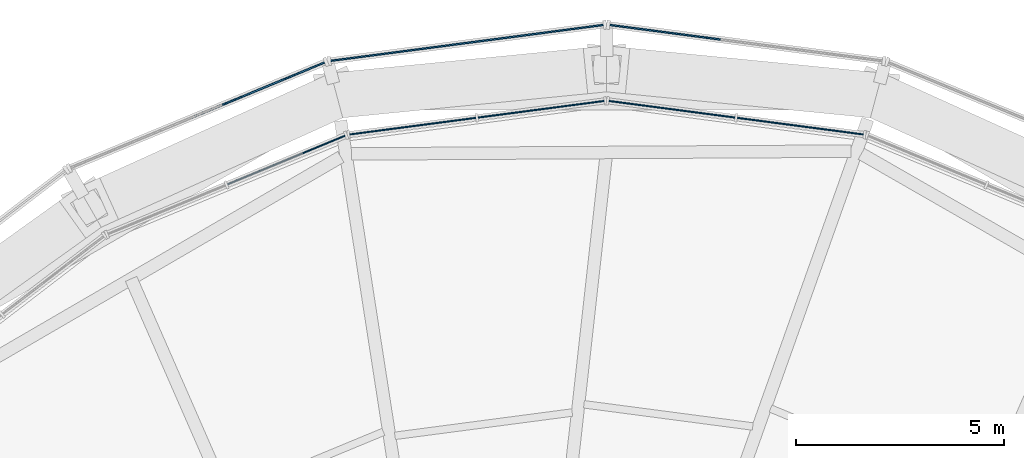
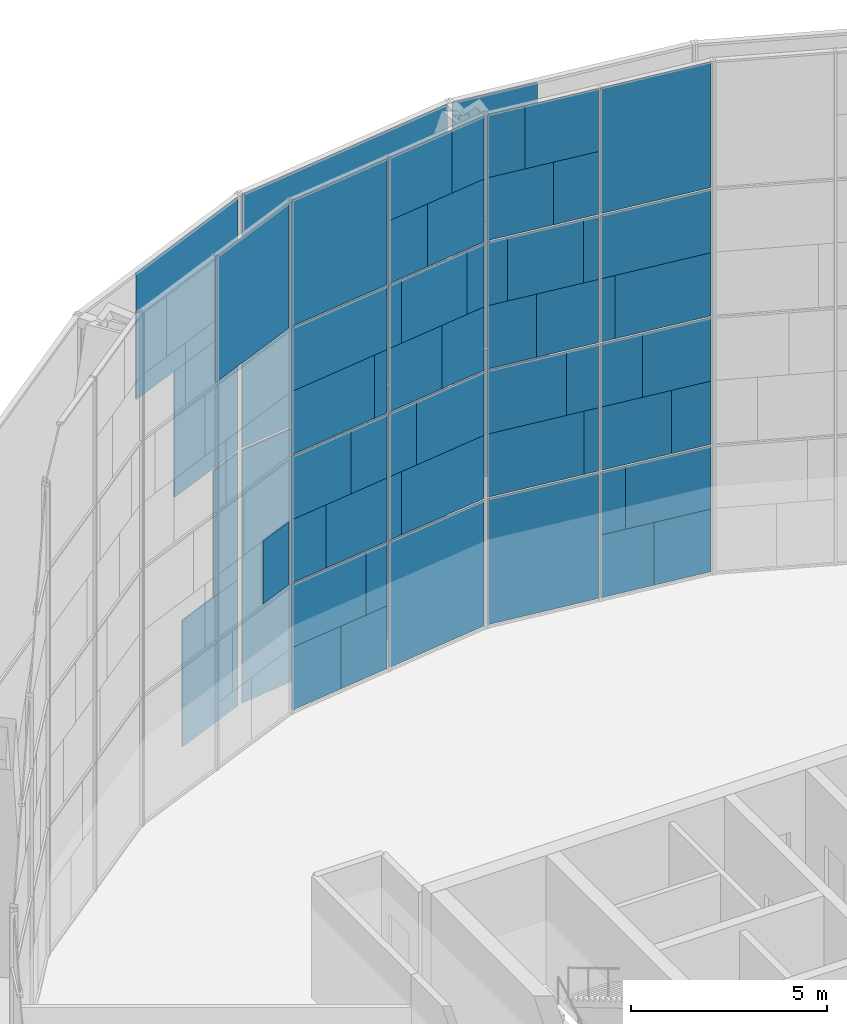
# One storey, part 23 of 30: 63 plates, 6 elements without a shape of their own.
"""IFC4 building model written with IfcOpenShell, lengths in metres."""

from ifc_helpers import new_model, si_unit, direction, frame, origin, origin_2d, place, context, subcontext, project, spatial, rectangle, extrude, material, layer, layer_set, type_object, element, aggregate, save


model = new_model("IFC4")

# Units and contexts
model_context = context("Model", 3, precision=1e-05, world=origin(), true_north=direction((0.0, 1.0)))
body_context = subcontext(model_context, "Body", "Model", "MODEL_VIEW")
ifc_project = project(units=[si_unit("LENGTHUNIT", "METRE"), si_unit("AREAUNIT", "SQUARE_METRE"), si_unit("VOLUMEUNIT", "CUBIC_METRE"), si_unit("PLANEANGLEUNIT", "RADIAN"), si_unit("MASSUNIT", "GRAM", prefix="KILO")], contexts=[model_context])

# Site, building, storey
site_placement = place(None, origin())
site = spatial("IfcSite", under=ifc_project, at=site_placement, CompositionType="ELEMENT")
building_placement = place(site_placement, origin())
building = spatial("IfcBuilding", under=site, at=building_placement, Name="Golbaran Civic Tower", CompositionType="ELEMENT")
storey_placement = place(building_placement, frame((0.0, 0.0, 167.0)))
storey = spatial("IfcBuildingStorey", under=building, at=storey_placement, Name="L40", CompositionType="ELEMENT", Elevation=167.0)

# Curtain wall, plates
ifc_material_1 = material(Name="Aluminium and glass", Category="aluminium")
curtain_wall_type_1 = type_object("IfcCurtainWallType", Name="INNER SKIN CURTAIN WALL EXECUTIVE", PredefinedType="NOTDEFINED", material=ifc_material_1)
curtain_wall_1_placement = place(storey_placement, origin())
curtain_wall_1 = element("IfcCurtainWall", 1, at=curtain_wall_1_placement, inside=storey, type_object=curtain_wall_type_1, Name="Inner skin L40 facet 6 CW2", ObjectType="INNER SKIN", PredefinedType="USERDEFINED")
ifc_material_2 = material(Name="Clear insulating glass", Category="glass")
ifc_layer_1 = layer(ifc_material_2, 0.031982421875, Name="Clear insulating glass")
ifc_layer_set_1 = layer_set([ifc_layer_1], Name="Clear insulating glass")
plate_type_1 = type_object("IfcPlateType", Name="INNER SKIN CURTAIN WALL EXECUTIVE GLAZED PANEL", PredefinedType="CURTAIN_PANEL", material=ifc_layer_set_1)
plate_1_placement = place(storey_placement, frame((3.879638671875, 23.572265625, 0.06005859375), z_axis=(0.0, 0.0, 1.0), x_axis=(-0.991444861383, 0.130526192151, 0.0)))
plate_1 = element("IfcPlate", 2, at=plate_1_placement, type_object=plate_type_1, Name="CW2 panel 1.1 part 2", PredefinedType="CURTAIN_PANEL", context=body_context, shape_type="SweptSolid", body=[
    extrude(rectangle(XDim=1.4794921875, YDim=0.031982421875, at=origin_2d()), origin(), (0.0, 0.0, 1.0), 1.955078125),
])
plate_2_placement = place(storey_placement, frame((3.485107421875, 23.624267578125, 2.014892578125), z_axis=(0.0, 0.0, 1.0), x_axis=(-0.991444861383, 0.130526192151, 0.0)))
plate_2 = element("IfcPlate", 3, at=plate_2_placement, type_object=plate_type_1, Name="CW2 panel 1.1 part 4", PredefinedType="CURTAIN_PANEL", context=body_context, shape_type="SweptSolid", body=[
    extrude(rectangle(XDim=0.683349609375, YDim=0.031982421875, at=origin_2d()), origin(), (0.0, 0.0, 1.0), 1.955078125),
])
plate_3_placement = place(storey_placement, frame((5.63330078125, 23.34130859375, 4.02978515625), z_axis=(0.0, 0.0, 1.0), x_axis=(-0.991444861383, 0.130526192151, 0.0)))
plate_3 = element("IfcPlate", 4, at=plate_3_placement, type_object=plate_type_1, Name="CW2 panel 1.2 part 1", PredefinedType="CURTAIN_PANEL", context=body_context, shape_type="SweptSolid", body=[
    extrude(rectangle(XDim=1.090087890625, YDim=0.031982421875, at=origin_2d()), origin(), (0.0, 0.0, 1.0), 1.969970703125),
])
plate_4_placement = place(storey_placement, frame((5.23583984375, 23.393798828125, 6.0), z_axis=(0.0, 0.0, 1.0), x_axis=(-0.991444861383, 0.130526192151, 0.0)))
plate_4 = element("IfcPlate", 5, at=plate_4_placement, type_object=plate_type_1, Name="CW2 panel 1.2 part 3", PredefinedType="CURTAIN_PANEL", context=body_context, shape_type="SweptSolid", body=[
    extrude(rectangle(XDim=1.89208984375, YDim=0.031982421875, at=origin_2d()), origin(), (0.0, 0.0, 1.0), 1.969970703125),
])
plate_5_placement = place(storey_placement, frame((4.85888671875, 23.443359375, 8.02978515625), z_axis=(0.0, 0.0, 1.0), x_axis=(-0.991444861383, 0.130526192151, 0.0)))
plate_5 = element("IfcPlate", 6, at=plate_5_placement, type_object=plate_type_1, Name="CW2 panel 1.3 part 1", PredefinedType="CURTAIN_PANEL", context=body_context, shape_type="SweptSolid", body=[
    extrude(rectangle(XDim=2.652099609375, YDim=0.031982421875, at=origin_2d()), origin(), (0.0, 0.0, 1.0), 1.969970703125),
])
plate_6_placement = place(storey_placement, frame((4.659912109375, 23.469482421875, 10.0), z_axis=(0.0, 0.0, 1.0), x_axis=(-0.991444861383, 0.130526192151, 0.0)))
plate_6 = element("IfcPlate", 7, at=plate_6_placement, type_object=plate_type_1, Name="CW2 panel 1.3 part 3", PredefinedType="CURTAIN_PANEL", context=body_context, shape_type="SweptSolid", body=[
    extrude(rectangle(XDim=3.053466796875, YDim=0.031982421875, at=origin_2d()), origin(), (0.0, 0.0, 1.0), 1.969970703125),
])
plate_7_placement = place(storey_placement, frame((4.659912109375, 23.469482421875, 12.0302734375), z_axis=(0.0, 0.0, 1.0), x_axis=(-0.991444861383, 0.130526192151, 0.0)))
plate_7 = element("IfcPlate", 8, at=plate_7_placement, type_object=plate_type_1, Name="CW2 panel 1.4", PredefinedType="CURTAIN_PANEL", context=body_context, shape_type="SweptSolid", body=[
    extrude(rectangle(XDim=3.053466796875, YDim=0.031982421875, at=origin_2d()), origin(), (0.0, 0.0, 1.0), 3.909912109375),
])
plate_8_placement = place(storey_placement, frame((1.5732421875, 23.8759765625, 0.06005859375), z_axis=(0.0, 0.0, 1.0), x_axis=(-0.991444861383, 0.130526192151, 0.0)))
plate_8 = element("IfcPlate", 9, at=plate_8_placement, type_object=plate_type_1, Name="CW2 panel 2.1", PredefinedType="CURTAIN_PANEL", context=body_context, shape_type="SweptSolid", body=[
    extrude(rectangle(XDim=3.053466796875, YDim=0.031982421875, at=origin_2d()), origin(), (0.0, 0.0, 1.0), 3.909912109375),
])
plate_9_placement = place(storey_placement, frame((1.374267578125, 23.902099609375, 4.02978515625), z_axis=(0.0, 0.0, 1.0), x_axis=(-0.991444861383, 0.130526192151, 0.0)))
plate_9 = element("IfcPlate", 10, at=plate_9_placement, type_object=plate_type_1, Name="CW2 panel 2.2 part 2", PredefinedType="CURTAIN_PANEL", context=body_context, shape_type="SweptSolid", body=[
    extrude(rectangle(XDim=2.65234375, YDim=0.031982421875, at=origin_2d()), origin(), (0.0, 0.0, 1.0), 1.969970703125),
])
plate_10_placement = place(storey_placement, frame((1.134521484375, 23.93359375, 6.0), z_axis=(0.0, 0.0, 1.0), x_axis=(-0.991444861383, 0.130526192151, 0.0)))
plate_10 = element("IfcPlate", 11, at=plate_10_placement, type_object=plate_type_1, Name="CW2 panel 2.2 part 4", PredefinedType="CURTAIN_PANEL", context=body_context, shape_type="SweptSolid", body=[
    extrude(rectangle(XDim=2.16845703125, YDim=0.031982421875, at=origin_2d()), origin(), (0.0, 0.0, 1.0), 1.969970703125),
])
plate_11_placement = place(storey_placement, frame((0.724853515625, 23.987548828125, 8.02978515625), z_axis=(0.0, 0.0, 1.0), x_axis=(-0.991444861383, 0.130526192151, 0.0)))
plate_11 = element("IfcPlate", 12, at=plate_11_placement, type_object=plate_type_1, Name="CW2 panel 2.3 part 2", PredefinedType="CURTAIN_PANEL", context=body_context, shape_type="SweptSolid", body=[
    extrude(rectangle(XDim=1.342529296875, YDim=0.031982421875, at=origin_2d()), origin(), (0.0, 0.0, 1.0), 1.969970703125),
])
plate_12_placement = place(storey_placement, frame((2.885009765625, 23.703125, 10.0), z_axis=(0.0, 0.0, 1.0), x_axis=(-0.991444861383, 0.130526192151, 0.0)))
plate_12 = element("IfcPlate", 13, at=plate_12_placement, type_object=plate_type_1, Name="CW2 panel 2.3 part 3", PredefinedType="CURTAIN_PANEL", context=body_context, shape_type="SweptSolid", body=[
    extrude(rectangle(XDim=0.406982421875, YDim=0.031982421875, at=origin_2d()), origin(), (0.0, 0.0, 1.0), 1.969970703125),
])
plate_13_placement = place(storey_placement, frame((0.326904296875, 24.0400390625, 10.0), z_axis=(0.0, 0.0, 1.0), x_axis=(-0.991444861383, 0.130526192151, 0.0)))
plate_13 = element("IfcPlate", 14, at=plate_13_placement, type_object=plate_type_1, Name="CW2 panel 2.3 part 5", PredefinedType="CURTAIN_PANEL", context=body_context, shape_type="SweptSolid", body=[
    extrude(rectangle(XDim=0.53955078125, YDim=0.031982421875, at=origin_2d()), origin(), (0.0, 0.0, 1.0), 1.969970703125),
])
plate_14_placement = place(storey_placement, frame((2.47509765625, 23.757080078125, 12.030029296875), z_axis=(0.0, 0.0, 1.0), x_axis=(-0.991444861383, 0.130526192151, 0.0)))
plate_14 = element("IfcPlate", 15, at=plate_14_placement, type_object=plate_type_1, Name="CW2 panel 2.4 part 1", PredefinedType="CURTAIN_PANEL", context=body_context, shape_type="SweptSolid", body=[
    extrude(rectangle(XDim=1.23388671875, YDim=0.031982421875, at=origin_2d()), origin(), (0.0, 0.0, 1.0), 1.955078125),
])
plate_15_placement = place(storey_placement, frame((2.08056640625, 23.80908203125, 13.98486328125), z_axis=(0.0, 0.0, 1.0), x_axis=(-0.991444861383, 0.130526192151, 0.0)))
plate_15 = element("IfcPlate", 16, at=plate_15_placement, type_object=plate_type_1, Name="CW2 panel 2.4 part 3", PredefinedType="CURTAIN_PANEL", context=body_context, shape_type="SweptSolid", body=[
    extrude(rectangle(XDim=2.030029296875, YDim=0.031982421875, at=origin_2d()), origin(), (0.0, 0.0, 1.0), 1.955078125),
])

curtain_wall_2_placement = place(storey_placement, origin())
curtain_wall_2 = element("IfcCurtainWall", 17, at=curtain_wall_2_placement, inside=storey, type_object=curtain_wall_type_1, Name="Inner skin L40 facet 7 CW2", ObjectType="INNER SKIN", PredefinedType="USERDEFINED")
plate_16_placement = place(storey_placement, frame((-1.5732421875, 23.8759765625, 0.06005859375), z_axis=(0.0, 0.0, 1.0), x_axis=(-0.991444861383, -0.130526192151, 0.0)))
plate_16 = element("IfcPlate", 18, at=plate_16_placement, type_object=plate_type_1, Name="CW2 panel 1.1", PredefinedType="CURTAIN_PANEL", context=body_context, shape_type="SweptSolid", body=[
    extrude(rectangle(XDim=3.053466796875, YDim=0.031982421875, at=origin_2d()), origin(), (0.0, 0.0, 1.0), 3.909912109375),
])
plate_17_placement = place(storey_placement, frame((-1.3740234375, 23.902099609375, 4.02978515625), z_axis=(0.0, 0.0, 1.0), x_axis=(-0.991444861383, -0.130526192151, 0.0)))
plate_17 = element("IfcPlate", 19, at=plate_17_placement, type_object=plate_type_1, Name="CW2 panel 1.2 part 1", PredefinedType="CURTAIN_PANEL", context=body_context, shape_type="SweptSolid", body=[
    extrude(rectangle(XDim=2.652099609375, YDim=0.031982421875, at=origin_2d()), origin(), (0.0, 0.0, 1.0), 1.969970703125),
])
plate_18_placement = place(storey_placement, frame((-1.134765625, 23.93359375, 6.0), z_axis=(0.0, 0.0, 1.0), x_axis=(-0.991444861383, -0.130526192151, 0.0)))
plate_18 = element("IfcPlate", 20, at=plate_18_placement, type_object=plate_type_1, Name="CW2 panel 1.2 part 3", PredefinedType="CURTAIN_PANEL", context=body_context, shape_type="SweptSolid", body=[
    extrude(rectangle(XDim=2.1689453125, YDim=0.031982421875, at=origin_2d()), origin(), (0.0, 0.0, 1.0), 1.969970703125),
])
plate_19_placement = place(storey_placement, frame((-0.724853515625, 23.987548828125, 8.02978515625), z_axis=(0.0, 0.0, 1.0), x_axis=(-0.991444861383, -0.130526192151, 0.0)))
plate_19 = element("IfcPlate", 21, at=plate_19_placement, type_object=plate_type_1, Name="CW2 panel 1.3 part 1", PredefinedType="CURTAIN_PANEL", context=body_context, shape_type="SweptSolid", body=[
    extrude(rectangle(XDim=1.342041015625, YDim=0.031982421875, at=origin_2d()), origin(), (0.0, 0.0, 1.0), 1.969970703125),
])
plate_20_placement = place(storey_placement, frame((-0.3271484375, 24.0400390625, 10.0), z_axis=(0.0, 0.0, 1.0), x_axis=(-0.991444861383, -0.130526192151, 0.0)))
plate_20 = element("IfcPlate", 22, at=plate_20_placement, type_object=plate_type_1, Name="CW2 panel 1.3 part 3", PredefinedType="CURTAIN_PANEL", context=body_context, shape_type="SweptSolid", body=[
    extrude(rectangle(XDim=0.5400390625, YDim=0.031982421875, at=origin_2d()), origin(), (0.0, 0.0, 1.0), 1.969970703125),
])
plate_21_placement = place(storey_placement, frame((-2.884765625, 23.703125, 10.0), z_axis=(0.0, 0.0, 1.0), x_axis=(-0.991444861383, -0.130526192151, 0.0)))
plate_21 = element("IfcPlate", 23, at=plate_21_placement, type_object=plate_type_1, Name="CW2 panel 1.3 part 5", PredefinedType="CURTAIN_PANEL", context=body_context, shape_type="SweptSolid", body=[
    extrude(rectangle(XDim=0.407470703125, YDim=0.031982421875, at=origin_2d()), origin(), (0.0, 0.0, 1.0), 1.969970703125),
])
plate_22_placement = place(storey_placement, frame((-2.475341796875, 23.757080078125, 12.030029296875), z_axis=(0.0, 0.0, 1.0), x_axis=(-0.991444861383, -0.130526192151, 0.0)))
plate_22 = element("IfcPlate", 24, at=plate_22_placement, type_object=plate_type_1, Name="CW2 panel 1.4 part 2", PredefinedType="CURTAIN_PANEL", context=body_context, shape_type="SweptSolid", body=[
    extrude(rectangle(XDim=1.2333984375, YDim=0.031982421875, at=origin_2d()), origin(), (0.0, 0.0, 1.0), 1.955078125),
])
plate_23_placement = place(storey_placement, frame((-2.080810546875, 23.80908203125, 13.98486328125), z_axis=(0.0, 0.0, 1.0), x_axis=(-0.991444861383, -0.130526192151, 0.0)))
plate_23 = element("IfcPlate", 25, at=plate_23_placement, type_object=plate_type_1, Name="CW2 panel 1.4 part 4", PredefinedType="CURTAIN_PANEL", context=body_context, shape_type="SweptSolid", body=[
    extrude(rectangle(XDim=2.029541015625, YDim=0.031982421875, at=origin_2d()), origin(), (0.0, 0.0, 1.0), 1.955078125),
])
plate_24_placement = place(storey_placement, frame((-3.8798828125, 23.572265625, 0.06005859375), z_axis=(0.0, 0.0, 1.0), x_axis=(-0.991444861383, -0.130526192151, 0.0)))
plate_24 = element("IfcPlate", 26, at=plate_24_placement, type_object=plate_type_1, Name="CW2 panel 2.1 part 1", PredefinedType="CURTAIN_PANEL", context=body_context, shape_type="SweptSolid", body=[
    extrude(rectangle(XDim=1.47998046875, YDim=0.031982421875, at=origin_2d()), origin(), (0.0, 0.0, 1.0), 1.955078125),
])
plate_25_placement = place(storey_placement, frame((-3.4853515625, 23.6240234375, 2.014892578125), z_axis=(0.0, 0.0, 1.0), x_axis=(-0.991444861383, -0.130526192151, 0.0)))
plate_25 = element("IfcPlate", 27, at=plate_25_placement, type_object=plate_type_1, Name="CW2 panel 2.1 part 3", PredefinedType="CURTAIN_PANEL", context=body_context, shape_type="SweptSolid", body=[
    extrude(rectangle(XDim=0.68408203125, YDim=0.031982421875, at=origin_2d()), origin(), (0.0, 0.0, 1.0), 1.955078125),
])
plate_26_placement = place(storey_placement, frame((-5.633544921875, 23.34130859375, 4.02978515625), z_axis=(0.0, 0.0, 1.0), x_axis=(-0.991444861383, -0.130526192151, 0.0)))
plate_26 = element("IfcPlate", 28, at=plate_26_placement, type_object=plate_type_1, Name="CW2 panel 2.2 part 2", PredefinedType="CURTAIN_PANEL", context=body_context, shape_type="SweptSolid", body=[
    extrude(rectangle(XDim=1.08935546875, YDim=0.031982421875, at=origin_2d()), origin(), (0.0, 0.0, 1.0), 1.969970703125),
])
plate_27_placement = place(storey_placement, frame((-5.235595703125, 23.393798828125, 6.0), z_axis=(0.0, 0.0, 1.0), x_axis=(-0.991444861383, -0.130526192151, 0.0)))
plate_27 = element("IfcPlate", 29, at=plate_27_placement, type_object=plate_type_1, Name="CW2 panel 2.2 part 4", PredefinedType="CURTAIN_PANEL", context=body_context, shape_type="SweptSolid", body=[
    extrude(rectangle(XDim=1.892578125, YDim=0.031982421875, at=origin_2d()), origin(), (0.0, 0.0, 1.0), 1.969970703125),
])
plate_28_placement = place(storey_placement, frame((-4.85888671875, 23.443359375, 8.02978515625), z_axis=(0.0, 0.0, 1.0), x_axis=(-0.991444861383, -0.130526192151, 0.0)))
plate_28 = element("IfcPlate", 30, at=plate_28_placement, type_object=plate_type_1, Name="CW2 panel 2.3 part 2", PredefinedType="CURTAIN_PANEL", context=body_context, shape_type="SweptSolid", body=[
    extrude(rectangle(XDim=2.65234375, YDim=0.031982421875, at=origin_2d()), origin(), (0.0, 0.0, 1.0), 1.969970703125),
])
plate_29_placement = place(storey_placement, frame((-4.659912109375, 23.469482421875, 10.0), z_axis=(0.0, 0.0, 1.0), x_axis=(-0.991444861383, -0.130526192151, 0.0)))
plate_29 = element("IfcPlate", 31, at=plate_29_placement, type_object=plate_type_1, Name="CW2 panel 2.3 part 3", PredefinedType="CURTAIN_PANEL", context=body_context, shape_type="SweptSolid", body=[
    extrude(rectangle(XDim=3.053466796875, YDim=0.031982421875, at=origin_2d()), origin(), (0.0, 0.0, 1.0), 1.969970703125),
])
plate_30_placement = place(storey_placement, frame((-4.659912109375, 23.469482421875, 12.0302734375), z_axis=(0.0, 0.0, 1.0), x_axis=(-0.991444861383, -0.130526192151, 0.0)))
plate_30 = element("IfcPlate", 32, at=plate_30_placement, type_object=plate_type_1, Name="CW2 panel 2.4", PredefinedType="CURTAIN_PANEL", context=body_context, shape_type="SweptSolid", body=[
    extrude(rectangle(XDim=3.053466796875, YDim=0.031982421875, at=origin_2d()), origin(), (0.0, 0.0, 1.0), 3.909912109375),
])

curtain_wall_3_placement = place(storey_placement, origin())
curtain_wall_3 = element("IfcCurtainWall", 33, at=curtain_wall_3_placement, inside=storey, type_object=curtain_wall_type_1, Name="Inner skin L40 facet 8 CW2", ObjectType="INNER SKIN", PredefinedType="USERDEFINED")
plate_31_placement = place(storey_placement, frame((-6.7919921875, 23.03076171875, 4.02978515625), z_axis=(0.0, 0.0, 1.0), x_axis=(-0.923879532471, -0.382683432462, 0.0)))
plate_31 = element("IfcPlate", 34, at=plate_31_placement, type_object=plate_type_1, Name="CW2 panel 1.2 part 1", PredefinedType="CURTAIN_PANEL", context=body_context, shape_type="SweptSolid", body=[
    extrude(rectangle(XDim=1.090087890625, YDim=0.031982421875, at=origin_2d()), origin(), (0.0, 0.0, 1.0), 1.969970703125),
])
plate_32_placement = place(storey_placement, frame((-7.698974609375, 22.6552734375, 12.0302734375), z_axis=(0.0, 0.0, 1.0), x_axis=(-0.923879532471, -0.382683432462, 0.0)))
plate_32 = element("IfcPlate", 35, at=plate_32_placement, type_object=plate_type_1, Name="CW2 panel 1.4", PredefinedType="CURTAIN_PANEL", context=body_context, shape_type="SweptSolid", body=[
    extrude(rectangle(XDim=3.053466796875, YDim=0.031982421875, at=origin_2d()), origin(), (0.0, 0.0, 1.0), 3.909912109375),
])
aggregate(curtain_wall_3, [plate_31, plate_32])

# Plate
ifc_material_3 = material(Name="Aluminium faced opaque infill panel", Category="aluminium")
ifc_layer_2 = layer(ifc_material_3, 0.031982421875, Name="Aluminium faced opaque infill panel")
ifc_layer_set_2 = layer_set([ifc_layer_2], Name="Aluminium faced opaque infill panel")
plate_type_2 = type_object("IfcPlateType", Name="INNER SKIN CURTAIN WALL EXECUTIVE OPAQUE INFILL PANEL", PredefinedType="CURTAIN_PANEL", material=ifc_layer_set_2)
plate_33_placement = place(storey_placement, frame((5.393310546875, 23.373046875, 0.06005859375), z_axis=(0.0, 0.0, 1.0), x_axis=(-0.991444861383, 0.130526192151, 0.0)))
plate_33 = element("IfcPlate", 36, at=plate_33_placement, type_object=plate_type_2, Name="CW2 infill panel 1.1 part 1", PredefinedType="CURTAIN_PANEL", context=body_context, shape_type="SweptSolid", body=[
    extrude(rectangle(XDim=1.573974609375, YDim=0.031982421875, at=origin_2d()), origin(), (0.0, 0.0, 1.0), 1.955078125),
])

plate_34_placement = place(storey_placement, frame((4.998779296875, 23.4248046875, 2.014892578125), z_axis=(0.0, 0.0, 1.0), x_axis=(-0.991444861383, 0.130526192151, 0.0)))
plate_34 = element("IfcPlate", 37, at=plate_34_placement, type_object=plate_type_2, Name="CW2 infill panel 1.1 part 3", PredefinedType="CURTAIN_PANEL", context=body_context, shape_type="SweptSolid", body=[
    extrude(rectangle(XDim=2.3701171875, YDim=0.031982421875, at=origin_2d()), origin(), (0.0, 0.0, 1.0), 1.955078125),
])

plate_35_placement = place(storey_placement, frame((4.11962890625, 23.54052734375, 4.02978515625), z_axis=(0.0, 0.0, 1.0), x_axis=(-0.991444861383, 0.130526192151, 0.0)))
plate_35 = element("IfcPlate", 38, at=plate_35_placement, type_object=plate_type_2, Name="CW2 infill panel 1.2 part 2", PredefinedType="CURTAIN_PANEL", context=body_context, shape_type="SweptSolid", body=[
    extrude(rectangle(XDim=1.96337890625, YDim=0.031982421875, at=origin_2d()), origin(), (0.0, 0.0, 1.0), 1.969970703125),
])

plate_36_placement = place(storey_placement, frame((3.72216796875, 23.593017578125, 6.0), z_axis=(0.0, 0.0, 1.0), x_axis=(-0.991444861383, 0.130526192151, 0.0)))
plate_36 = element("IfcPlate", 39, at=plate_36_placement, type_object=plate_type_2, Name="CW2 infill panel 1.2 part 4", PredefinedType="CURTAIN_PANEL", context=body_context, shape_type="SweptSolid", body=[
    extrude(rectangle(XDim=1.161376953125, YDim=0.031982421875, at=origin_2d()), origin(), (0.0, 0.0, 1.0), 1.969970703125),
])

plate_37_placement = place(storey_placement, frame((3.34521484375, 23.642578125, 8.02978515625), z_axis=(0.0, 0.0, 1.0), x_axis=(-0.991444861383, 0.130526192151, 0.0)))
plate_37 = element("IfcPlate", 40, at=plate_37_placement, type_object=plate_type_2, Name="CW2 infill panel 1.3 part 2", PredefinedType="CURTAIN_PANEL", context=body_context, shape_type="SweptSolid", body=[
    extrude(rectangle(XDim=0.4013671875, YDim=0.031982421875, at=origin_2d()), origin(), (0.0, 0.0, 1.0), 1.969970703125),
])

plate_38_placement = place(storey_placement, frame((2.887939453125, 23.702880859375, 4.02978515625), z_axis=(0.0, 0.0, 1.0), x_axis=(-0.991444861383, 0.130526192151, 0.0)))
plate_38 = element("IfcPlate", 41, at=plate_38_placement, type_object=plate_type_2, Name="CW2 infill panel 2.2 part 1", PredefinedType="CURTAIN_PANEL", context=body_context, shape_type="SweptSolid", body=[
    extrude(rectangle(XDim=0.40087890625, YDim=0.031982421875, at=origin_2d()), origin(), (0.0, 0.0, 1.0), 1.969970703125),
])

plate_39_placement = place(storey_placement, frame((2.648193359375, 23.734375, 6.0), z_axis=(0.0, 0.0, 1.0), x_axis=(-0.991444861383, 0.130526192151, 0.0)))
plate_39 = element("IfcPlate", 42, at=plate_39_placement, type_object=plate_type_2, Name="CW2 infill panel 2.2 part 3", PredefinedType="CURTAIN_PANEL", context=body_context, shape_type="SweptSolid", body=[
    extrude(rectangle(XDim=0.885009765625, YDim=0.031982421875, at=origin_2d()), origin(), (0.0, 0.0, 1.0), 1.969970703125),
])

plate_40_placement = place(storey_placement, frame((2.238525390625, 23.788330078125, 8.02978515625), z_axis=(0.0, 0.0, 1.0), x_axis=(-0.991444861383, 0.130526192151, 0.0)))
plate_40 = element("IfcPlate", 43, at=plate_40_placement, type_object=plate_type_2, Name="CW2 infill panel 2.3 part 1", PredefinedType="CURTAIN_PANEL", context=body_context, shape_type="SweptSolid", body=[
    extrude(rectangle(XDim=1.7109375, YDim=0.031982421875, at=origin_2d()), origin(), (0.0, 0.0, 1.0), 1.969970703125),
])

plate_41_placement = place(storey_placement, frame((1.638916015625, 23.8671875, 10.0), z_axis=(0.0, 0.0, 1.0), x_axis=(-0.991444861383, 0.130526192151, 0.0)))
plate_41 = element("IfcPlate", 44, at=plate_41_placement, type_object=plate_type_2, Name="CW2 infill panel 2.3 part 4", PredefinedType="CURTAIN_PANEL", context=body_context, shape_type="SweptSolid", body=[
    extrude(rectangle(XDim=2.10693359375, YDim=0.031982421875, at=origin_2d()), origin(), (0.0, 0.0, 1.0), 1.969970703125),
])

plate_42_placement = place(storey_placement, frame((0.96142578125, 23.95654296875, 12.030029296875), z_axis=(0.0, 0.0, 1.0), x_axis=(-0.991444861383, 0.130526192151, 0.0)))
plate_42 = element("IfcPlate", 45, at=plate_42_placement, type_object=plate_type_2, Name="CW2 infill panel 2.4 part 2", PredefinedType="CURTAIN_PANEL", context=body_context, shape_type="SweptSolid", body=[
    extrude(rectangle(XDim=1.819580078125, YDim=0.031982421875, at=origin_2d()), origin(), (0.0, 0.0, 1.0), 1.955078125),
])

plate_43_placement = place(storey_placement, frame((0.56689453125, 24.00830078125, 13.98486328125), z_axis=(0.0, 0.0, 1.0), x_axis=(-0.991444861383, 0.130526192151, 0.0)))
plate_43 = element("IfcPlate", 46, at=plate_43_placement, type_object=plate_type_2, Name="CW2 infill panel 2.4 part 4", PredefinedType="CURTAIN_PANEL", context=body_context, shape_type="SweptSolid", body=[
    extrude(rectangle(XDim=1.0234375, YDim=0.031982421875, at=origin_2d()), origin(), (0.0, 0.0, 1.0), 1.955078125),
])

aggregate(curtain_wall_1, [plate_33, plate_1, plate_34, plate_2, plate_3, plate_35, plate_4, plate_36, plate_5, plate_37, plate_6, plate_7, plate_8, plate_38, plate_9, plate_39, plate_10, plate_40, plate_11, plate_12, plate_41, plate_13, plate_14, plate_42, plate_15, plate_43])

plate_44_placement = place(storey_placement, frame((-2.8876953125, 23.702880859375, 4.02978515625), z_axis=(0.0, 0.0, 1.0), x_axis=(-0.991444861383, -0.130526192151, 0.0)))
plate_44 = element("IfcPlate", 47, at=plate_44_placement, type_object=plate_type_2, Name="CW2 infill panel 1.2 part 2", PredefinedType="CURTAIN_PANEL", context=body_context, shape_type="SweptSolid", body=[
    extrude(rectangle(XDim=0.4013671875, YDim=0.031982421875, at=origin_2d()), origin(), (0.0, 0.0, 1.0), 1.969970703125),
])

plate_45_placement = place(storey_placement, frame((-2.6484375, 23.734375, 6.0), z_axis=(0.0, 0.0, 1.0), x_axis=(-0.991444861383, -0.130526192151, 0.0)))
plate_45 = element("IfcPlate", 48, at=plate_45_placement, type_object=plate_type_2, Name="CW2 infill panel 1.2 part 4", PredefinedType="CURTAIN_PANEL", context=body_context, shape_type="SweptSolid", body=[
    extrude(rectangle(XDim=0.884521484375, YDim=0.031982421875, at=origin_2d()), origin(), (0.0, 0.0, 1.0), 1.969970703125),
])

plate_46_placement = place(storey_placement, frame((-2.238525390625, 23.788330078125, 8.02978515625), z_axis=(0.0, 0.0, 1.0), x_axis=(-0.991444861383, -0.130526192151, 0.0)))
plate_46 = element("IfcPlate", 49, at=plate_46_placement, type_object=plate_type_2, Name="CW2 infill panel 1.3 part 2", PredefinedType="CURTAIN_PANEL", context=body_context, shape_type="SweptSolid", body=[
    extrude(rectangle(XDim=1.71142578125, YDim=0.031982421875, at=origin_2d()), origin(), (0.0, 0.0, 1.0), 1.969970703125),
])

plate_47_placement = place(storey_placement, frame((-1.638916015625, 23.8671875, 10.0), z_axis=(0.0, 0.0, 1.0), x_axis=(-0.991444861383, -0.130526192151, 0.0)))
plate_47 = element("IfcPlate", 50, at=plate_47_placement, type_object=plate_type_2, Name="CW2 infill panel 1.3 part 4", PredefinedType="CURTAIN_PANEL", context=body_context, shape_type="SweptSolid", body=[
    extrude(rectangle(XDim=2.10595703125, YDim=0.031982421875, at=origin_2d()), origin(), (0.0, 0.0, 1.0), 1.969970703125),
])

plate_48_placement = place(storey_placement, frame((-0.961669921875, 23.956298828125, 12.030029296875), z_axis=(0.0, 0.0, 1.0), x_axis=(-0.991444861383, -0.130526192151, 0.0)))
plate_48 = element("IfcPlate", 51, at=plate_48_placement, type_object=plate_type_2, Name="CW2 infill panel 1.4 part 1", PredefinedType="CURTAIN_PANEL", context=body_context, shape_type="SweptSolid", body=[
    extrude(rectangle(XDim=1.820068359375, YDim=0.031982421875, at=origin_2d()), origin(), (0.0, 0.0, 1.0), 1.955078125),
])

plate_49_placement = place(storey_placement, frame((-0.567138671875, 24.00830078125, 13.98486328125), z_axis=(0.0, 0.0, 1.0), x_axis=(-0.991444861383, -0.130526192151, 0.0)))
plate_49 = element("IfcPlate", 52, at=plate_49_placement, type_object=plate_type_2, Name="CW2 infill panel 1.4 part 3", PredefinedType="CURTAIN_PANEL", context=body_context, shape_type="SweptSolid", body=[
    extrude(rectangle(XDim=1.02392578125, YDim=0.031982421875, at=origin_2d()), origin(), (0.0, 0.0, 1.0), 1.955078125),
])

plate_50_placement = place(storey_placement, frame((-5.3935546875, 23.372802734375, 0.06005859375), z_axis=(0.0, 0.0, 1.0), x_axis=(-0.991444861383, -0.130526192151, 0.0)))
plate_50 = element("IfcPlate", 53, at=plate_50_placement, type_object=plate_type_2, Name="CW2 infill panel 2.1 part 2", PredefinedType="CURTAIN_PANEL", context=body_context, shape_type="SweptSolid", body=[
    extrude(rectangle(XDim=1.573486328125, YDim=0.031982421875, at=origin_2d()), origin(), (0.0, 0.0, 1.0), 1.955078125),
])

plate_51_placement = place(storey_placement, frame((-4.9990234375, 23.4248046875, 2.014892578125), z_axis=(0.0, 0.0, 1.0), x_axis=(-0.991444861383, -0.130526192151, 0.0)))
plate_51 = element("IfcPlate", 54, at=plate_51_placement, type_object=plate_type_2, Name="CW2 infill panel 2.1 part 4", PredefinedType="CURTAIN_PANEL", context=body_context, shape_type="SweptSolid", body=[
    extrude(rectangle(XDim=2.369384765625, YDim=0.031982421875, at=origin_2d()), origin(), (0.0, 0.0, 1.0), 1.955078125),
])

plate_52_placement = place(storey_placement, frame((-4.119873046875, 23.54052734375, 4.02978515625), z_axis=(0.0, 0.0, 1.0), x_axis=(-0.991444861383, -0.130526192151, 0.0)))
plate_52 = element("IfcPlate", 55, at=plate_52_placement, type_object=plate_type_2, Name="CW2 infill panel 2.2 part 1", PredefinedType="CURTAIN_PANEL", context=body_context, shape_type="SweptSolid", body=[
    extrude(rectangle(XDim=1.964111328125, YDim=0.031982421875, at=origin_2d()), origin(), (0.0, 0.0, 1.0), 1.969970703125),
])

plate_53_placement = place(storey_placement, frame((-3.721923828125, 23.593017578125, 6.0), z_axis=(0.0, 0.0, 1.0), x_axis=(-0.991444861383, -0.130526192151, 0.0)))
plate_53 = element("IfcPlate", 56, at=plate_53_placement, type_object=plate_type_2, Name="CW2 infill panel 2.2 part 3", PredefinedType="CURTAIN_PANEL", context=body_context, shape_type="SweptSolid", body=[
    extrude(rectangle(XDim=1.160888671875, YDim=0.031982421875, at=origin_2d()), origin(), (0.0, 0.0, 1.0), 1.969970703125),
])

plate_54_placement = place(storey_placement, frame((-3.34521484375, 23.642578125, 8.02978515625), z_axis=(0.0, 0.0, 1.0), x_axis=(-0.991444861383, -0.130526192151, 0.0)))
plate_54 = element("IfcPlate", 57, at=plate_54_placement, type_object=plate_type_2, Name="CW2 infill panel 2.3 part 1", PredefinedType="CURTAIN_PANEL", context=body_context, shape_type="SweptSolid", body=[
    extrude(rectangle(XDim=0.40087890625, YDim=0.031982421875, at=origin_2d()), origin(), (0.0, 0.0, 1.0), 1.969970703125),
])

aggregate(curtain_wall_2, [plate_16, plate_17, plate_44, plate_18, plate_45, plate_19, plate_46, plate_20, plate_47, plate_21, plate_48, plate_22, plate_49, plate_23, plate_24, plate_50, plate_25, plate_51, plate_52, plate_26, plate_53, plate_27, plate_54, plate_28, plate_29, plate_30])

# Curtain wall, plates
curtain_wall_type_2 = type_object("IfcCurtainWallType", Name="OUTER SKIN TERRACOTTA SCREEN", PredefinedType="NOTDEFINED", material=ifc_material_1)
curtain_wall_4_placement = place(storey_placement, origin())
curtain_wall_4 = element("IfcCurtainWall", 58, at=curtain_wall_4_placement, inside=storey, type_object=curtain_wall_type_2, Name="Outer skin L40 facet 6 CW3", ObjectType="OUTER SKIN", PredefinedType="USERDEFINED")
ifc_material_4 = material(Name="Clear laminated glass", Category="glass")
ifc_layer_3 = layer(ifc_material_4, 0.0400390625, Name="Clear laminated glass")
ifc_layer_set_3 = layer_set([ifc_layer_3], Name="Clear laminated glass")
plate_type_3 = type_object("IfcPlateType", Name="OUTER SKIN CLEAR GLASS PANEL", PredefinedType="CURTAIN_PANEL", material=ifc_layer_set_3)
plate_55_placement = place(storey_placement, frame((1.408203125, 25.7275390625, 3.31005859375), z_axis=(0.0, 0.0, 1.0), x_axis=(-0.991444861381, 0.130526192168, 0.0)))
plate_55 = element("IfcPlate", 59, at=plate_55_placement, type_object=plate_type_3, Name="CW3 panel 1.1 part 5", PredefinedType="CURTAIN_PANEL", context=body_context, shape_type="SweptSolid", body=[
    extrude(rectangle(XDim=2.6806640625, YDim=0.0400390625, at=origin_2d()), origin(), (0.0, 0.0, 1.0), 3.93994140625),
])
plate_56_placement = place(storey_placement, frame((0.5966796875, 25.83447265625, 7.330078125), z_axis=(0.0, 0.0, 1.0), x_axis=(-0.991444861381, 0.130526192168, 0.0)))
plate_56 = element("IfcPlate", 60, at=plate_56_placement, type_object=plate_type_3, Name="CW3 panel 1.2 part 3", PredefinedType="CURTAIN_PANEL", context=body_context, shape_type="SweptSolid", body=[
    extrude(rectangle(XDim=1.043701171875, YDim=0.0400390625, at=origin_2d()), origin(), (0.0, 0.0, 1.0), 3.93994140625),
])

curtain_wall_5_placement = place(storey_placement, origin())
curtain_wall_5 = element("IfcCurtainWall", 61, at=curtain_wall_5_placement, inside=storey, type_object=curtain_wall_type_2, Name="Outer skin L40 facet 8 CW3", ObjectType="OUTER SKIN", PredefinedType="USERDEFINED")
plate_57_placement = place(storey_placement, frame((-7.25, 24.804931640625, 3.31005859375), z_axis=(0.0, 0.0, 1.0), x_axis=(-0.923879532471, -0.382683432462, 0.0)))
plate_57 = element("IfcPlate", 62, at=plate_57_placement, type_object=plate_type_3, Name="CW3 panel 1.1 part 3", PredefinedType="CURTAIN_PANEL", context=body_context, shape_type="SweptSolid", body=[
    extrude(rectangle(XDim=1.01611328125, YDim=0.0400390625, at=origin_2d()), origin(), (0.0, 0.0, 1.0), 3.93994140625),
])
plate_58_placement = place(storey_placement, frame((-8.005859375, 24.491943359375, 7.330078125), z_axis=(0.0, 0.0, 1.0), x_axis=(-0.923879532471, -0.382683432462, 0.0)))
plate_58 = element("IfcPlate", 63, at=plate_58_placement, type_object=plate_type_3, Name="CW3 panel 1.2 part 1", PredefinedType="CURTAIN_PANEL", context=body_context, shape_type="SweptSolid", body=[
    extrude(rectangle(XDim=2.652099609375, YDim=0.0400390625, at=origin_2d()), origin(), (0.0, 0.0, 1.0), 3.93994140625),
])
plate_59_placement = place(storey_placement, frame((-8.74755859375, 24.1845703125, 11.27001953125), z_axis=(0.0, 0.0, 1.0), x_axis=(-0.923879532471, -0.382683432462, 0.0)))
plate_59 = element("IfcPlate", 64, at=plate_59_placement, type_object=plate_type_3, Name="CW3 panel 1.2 part 4", PredefinedType="CURTAIN_PANEL", context=body_context, shape_type="SweptSolid", body=[
    extrude(rectangle(XDim=4.258056640625, YDim=0.0400390625, at=origin_2d()), origin(), (0.0, 0.0, 1.0), 3.93994140625),
])

# Plate
ifc_material_5 = material(Name="Terracotta baguette screen", Category="masonry")
ifc_layer_4 = layer(ifc_material_5, 0.0400390625, Name="Terracotta baguette screen")
ifc_layer_set_4 = layer_set([ifc_layer_4], Name="Terracotta baguette screen")
plate_type_4 = type_object("IfcPlateType", Name="OUTER SKIN TERRACOTTA INFILL PANEL", PredefinedType="CURTAIN_PANEL", material=ifc_layer_set_4)
plate_60_placement = place(storey_placement, frame((1.24267578125, 25.74951171875, 11.27001953125), z_axis=(0.0, 0.0, 1.0), x_axis=(-0.991444861381, 0.130526192168, 0.0)))
plate_60 = element("IfcPlate", 65, at=plate_60_placement, type_object=plate_type_4, Name="CW3 infill panel 1.2 part 5", PredefinedType="CURTAIN_PANEL", context=body_context, shape_type="SweptSolid", body=[
    extrude(rectangle(XDim=2.3466796875, YDim=0.0400390625, at=origin_2d()), origin(), (0.0, 0.0, 1.0), 3.93994140625),
])

aggregate(curtain_wall_4, [plate_55, plate_56, plate_60])

plate_61_placement = place(storey_placement, frame((-7.852294921875, 24.555419921875, -0.6298828125), z_axis=(0.0, 0.0, 1.0), x_axis=(-0.923879532471, -0.382683432462, 0.0)))
plate_61 = element("IfcPlate", 66, at=plate_61_placement, type_object=plate_type_4, Name="CW3 infill panel 1.1 part 1", PredefinedType="CURTAIN_PANEL", context=body_context, shape_type="SweptSolid", body=[
    extrude(rectangle(XDim=2.320068359375, YDim=0.0400390625, at=origin_2d()), origin(), (0.0, 0.0, 1.0), 3.93994140625),
])

aggregate(curtain_wall_5, [plate_61, plate_57, plate_58, plate_59])

# Curtain wall, plates
curtain_wall_6_placement = place(storey_placement, origin())
curtain_wall_6 = element("IfcCurtainWall", 67, at=curtain_wall_6_placement, inside=storey, type_object=curtain_wall_type_2, Name="Outer skin L40 facet 7 CW3", ObjectType="OUTER SKIN", PredefinedType="USERDEFINED")
ifc_layer_5 = layer(ifc_material_5, 0.0400390625, Name="Terracotta baguette screen")
ifc_layer_set_5 = layer_set([ifc_layer_5], Name="Terracotta baguette screen")
plate_type_5 = type_object("IfcPlateType", Name="OUTER SKIN TERRACOTTA SCREEN PANEL", PredefinedType="CURTAIN_PANEL", material=ifc_layer_set_5)
plate_62_placement = place(storey_placement, frame((-3.353271484375, 25.471435546875, -0.6298828125), z_axis=(0.0, 0.0, 1.0), x_axis=(-0.991444861381, -0.130526192168, 0.0)))
plate_62 = element("IfcPlate", 68, at=plate_62_placement, type_object=plate_type_5, Name="CW3 terracotta screen panel 1.1", PredefinedType="CURTAIN_PANEL", context=body_context, shape_type="SweptSolid", body=[
    extrude(rectangle(XDim=6.604736328125, YDim=0.0400390625, at=origin_2d()), origin(), (0.0, 0.0, 1.0), 7.8798828125),
])
plate_63_placement = place(storey_placement, frame((-3.353271484375, 25.471435546875, 7.330078125), z_axis=(0.0, 0.0, 1.0), x_axis=(-0.991444861381, -0.130526192168, 0.0)))
plate_63 = element("IfcPlate", 69, at=plate_63_placement, type_object=plate_type_5, Name="CW3 terracotta screen panel 1.2", PredefinedType="CURTAIN_PANEL", context=body_context, shape_type="SweptSolid", body=[
    extrude(rectangle(XDim=6.604736328125, YDim=0.0400390625, at=origin_2d()), origin(), (0.0, 0.0, 1.0), 7.8798828125),
])
aggregate(curtain_wall_6, [plate_62, plate_63])

save(model, "model.ifc")
